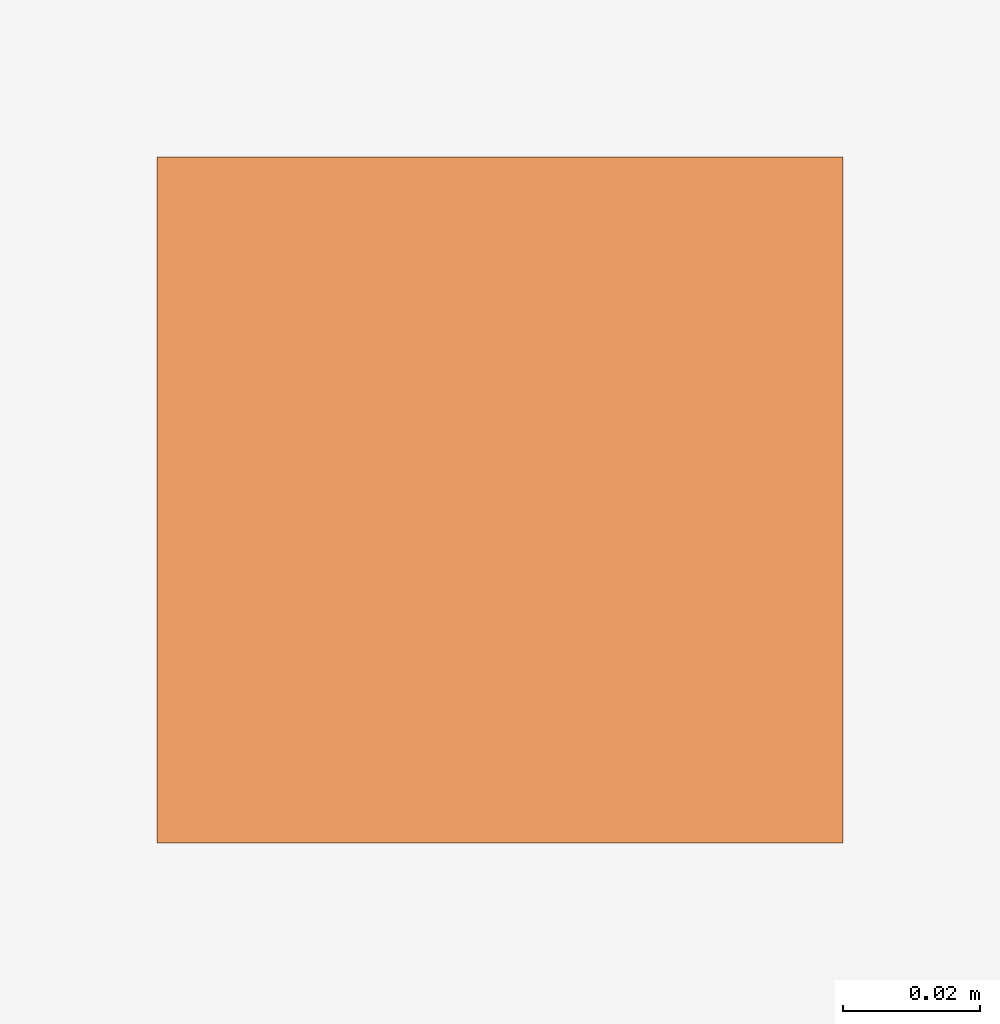
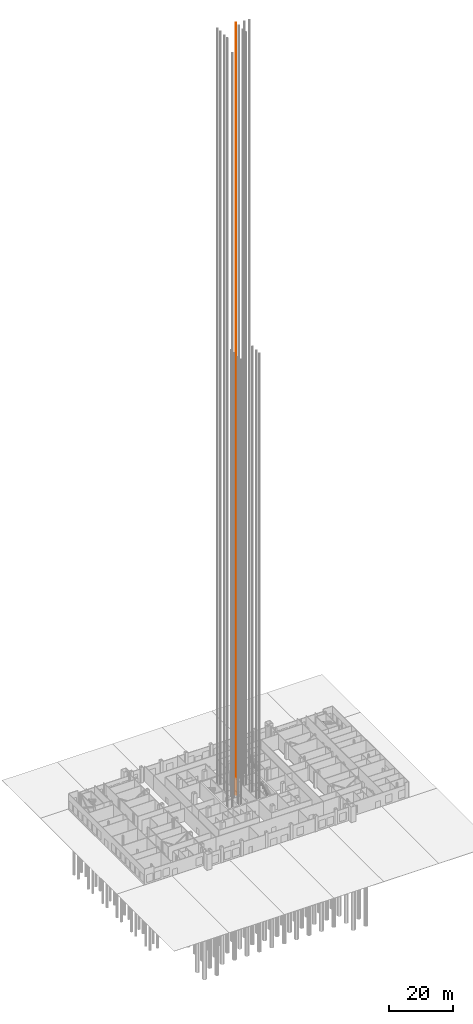
# One storey, part 35 of 36: 1 proxy.
"""IFC4 building model written with IfcOpenShell, lengths in metres."""

from ifc_helpers import new_model, si_unit, direction, frame, origin, origin_2d, place, context, subcontext, project, spatial, rectangle, extrude, material, type_object, element, save


model = new_model("IFC4")

# Units and contexts
model_context = context("Model", 3, precision=1e-05, world=origin(), true_north=direction((0.0, 1.0)))
body_context = subcontext(model_context, "Body", "Model", "MODEL_VIEW")
ifc_project = project(units=[si_unit("LENGTHUNIT", "METRE"), si_unit("AREAUNIT", "SQUARE_METRE"), si_unit("VOLUMEUNIT", "CUBIC_METRE"), si_unit("PLANEANGLEUNIT", "RADIAN"), si_unit("MASSUNIT", "GRAM", prefix="KILO")], contexts=[model_context])

# Site, building, storey
site_placement = place(None, origin())
site = spatial("IfcSite", under=ifc_project, at=site_placement, CompositionType="ELEMENT")
building_placement = place(site_placement, origin())
building = spatial("IfcBuilding", under=site, at=building_placement, Name="Malebo Sky Hospital", CompositionType="ELEMENT")
storey_placement = place(building_placement, origin())
storey = spatial("IfcBuildingStorey", under=building, at=storey_placement, Name="L00", CompositionType="ELEMENT", Elevation=0.0)

# Proxy
ifc_material = material(Name="Steel S355", Category="steel")
building_element_proxy_type = type_object("IfcBuildingElementProxyType", Name="LIFT GUIDE RAIL 100", PredefinedType="USERDEFINED", material=ifc_material)
proxy_placement = place(storey_placement, frame((63.35009765625, 69.324951171875, 0.0)))
element("IfcBuildingElementProxy", 1, at=proxy_placement, inside=storey, type_object=building_element_proxy_type, Name="Lift E4 guide rail 2", ObjectType="LIFT GUIDE RAIL", PredefinedType="USERDEFINED", context=body_context, shape_type="SweptSolid", body=[
    extrude(rectangle(XDim=0.10009765625, YDim=0.10009765625, at=origin_2d()), frame((0.0, 0.0, -2.25)), (0.0, 0.0, 1.0), 295.75),
])

save(model, "model.ifc")
